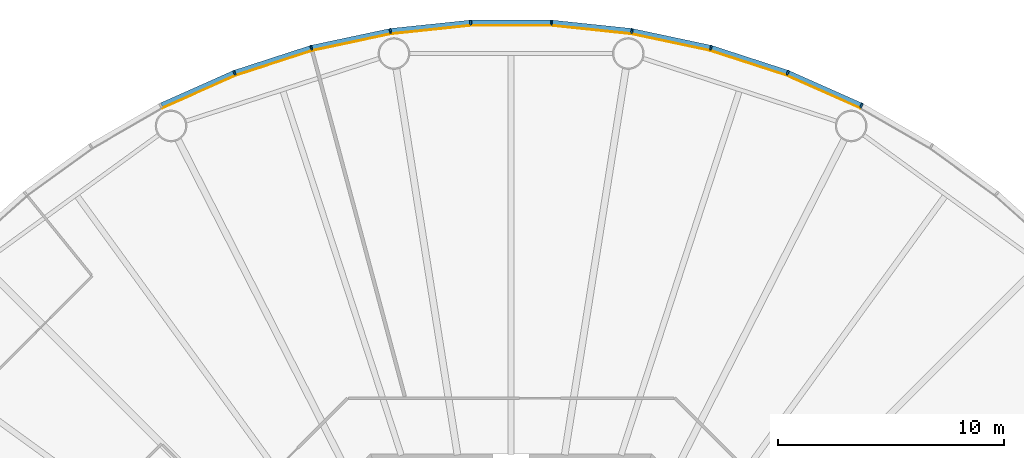
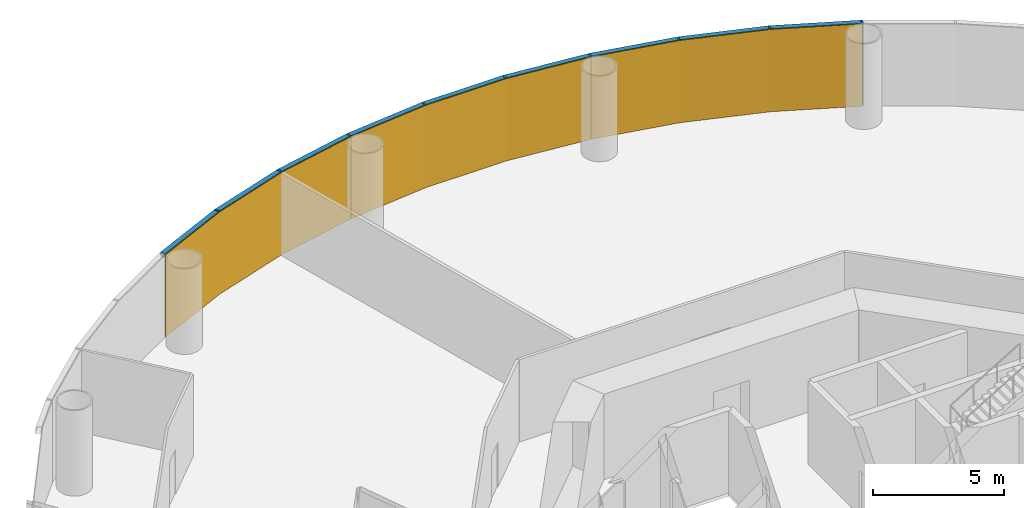
# One storey, part 11 of 12: 18 members, 3 curtain walls.
"""IFC4 building model written with IfcOpenShell, lengths in metres."""

from ifc_helpers import new_model, si_unit, direction, frame, origin, origin_2d, place, context, subcontext, project, spatial, polyline, rectangle, outline, extrude, material, layer, layer_set, material_profile, profile_set, type_object, element, aggregate, save


model = new_model("IFC4")

# Units and contexts
model_context = context("Model", 3, precision=1e-05, world=origin(), true_north=direction((0.0, 1.0)))
body_context = subcontext(model_context, "Body", "Model", "MODEL_VIEW")
ifc_project = project(units=[si_unit("LENGTHUNIT", "METRE"), si_unit("AREAUNIT", "SQUARE_METRE"), si_unit("VOLUMEUNIT", "CUBIC_METRE"), si_unit("PLANEANGLEUNIT", "RADIAN"), si_unit("MASSUNIT", "GRAM", prefix="KILO")], contexts=[model_context])

# Member
ifc_material_1 = material(Name="Anodised aluminium", Category="aluminium")
ifc_material_profile_1 = material_profile(ifc_material_1, rectangle(XDim=0.074951171875, YDim=0.219970703125, at=origin_2d()), Name="Mullion 75 x 220 mm anodised aluminium")
ifc_profile_set_1 = profile_set([ifc_material_profile_1], Name="Anodised aluminium")
member_type_1 = type_object("IfcMemberType", Name="Mullion 75 x 220 mm anodised aluminium", PredefinedType="MULLION", material=ifc_profile_set_1)
site_placement = place(None, origin())
building_placement = place(site_placement, origin())
storey_placement = place(building_placement, frame((0.0, 0.0, 66.0)))
member_1_placement = place(storey_placement, frame((105.485595703125, 110.392333984375, 0.0), z_axis=(0.0, 0.0, 1.0), x_axis=(-0.891006524188, 0.45399049974, 0.0)))
member_1 = element("IfcMember", 1, at=member_1_placement, type_object=member_type_1, Name="MULLION L14-09", PredefinedType="MULLION", context=body_context, shape_type="SweptSolid", body=[
    extrude(rectangle(XDim=0.074951171875, YDim=0.219970703125, at=origin_2d()), origin(), (0.0, 0.0, 1.0), 3.85009765625),
])

member_2_placement = place(storey_placement, frame((102.223876953125, 111.844482421875, 0.0), z_axis=(0.0, 0.0, 1.0), x_axis=(-0.933580426497, 0.358367949545, 0.0)))
member_2 = element("IfcMember", 2, at=member_2_placement, type_object=member_type_1, Name="MULLION L14-10", PredefinedType="MULLION", context=body_context, shape_type="SweptSolid", body=[
    extrude(rectangle(XDim=0.074951171875, YDim=0.219970703125, at=origin_2d()), origin(), (0.0, 0.0, 1.0), 3.85009765625),
])

member_3_placement = place(storey_placement, frame((98.828369140625, 112.94775390625, 0.0), z_axis=(0.0, 0.0, 1.0), x_axis=(-0.965925826289, 0.258819045103, 0.0)))
member_3 = element("IfcMember", 3, at=member_3_placement, type_object=member_type_1, Name="MULLION L14-11", PredefinedType="MULLION", context=body_context, shape_type="SweptSolid", body=[
    extrude(rectangle(XDim=0.074951171875, YDim=0.219970703125, at=origin_2d()), origin(), (0.0, 0.0, 1.0), 3.85009765625),
])

member_4_placement = place(storey_placement, frame((95.3359375, 113.68994140625, 0.0), z_axis=(0.0, 0.0, 1.0), x_axis=(-0.987688340595, 0.15643446504, 0.0)))
member_4 = element("IfcMember", 4, at=member_4_placement, type_object=member_type_1, Name="MULLION L14-12", PredefinedType="MULLION", context=body_context, shape_type="SweptSolid", body=[
    extrude(rectangle(XDim=0.074951171875, YDim=0.219970703125, at=origin_2d()), origin(), (0.0, 0.0, 1.0), 3.85009765625),
])

member_5_placement = place(storey_placement, frame((91.78515625, 114.063232421875, 0.0), z_axis=(0.0, 0.0, 1.0), x_axis=(-0.998629534755, 0.052335956243, 0.0)))
member_5 = element("IfcMember", 5, at=member_5_placement, type_object=member_type_1, Name="MULLION L14-13", PredefinedType="MULLION", context=body_context, shape_type="SweptSolid", body=[
    extrude(rectangle(XDim=0.074951171875, YDim=0.219970703125, at=origin_2d()), origin(), (0.0, 0.0, 1.0), 3.85009765625),
])

member_6_placement = place(storey_placement, frame((88.21484375, 114.063232421875, 0.0), z_axis=(0.0, 0.0, 1.0), x_axis=(-0.998629534755, -0.052335956243, 0.0)))
member_6 = element("IfcMember", 6, at=member_6_placement, type_object=member_type_1, Name="MULLION L14-14", PredefinedType="MULLION", context=body_context, shape_type="SweptSolid", body=[
    extrude(rectangle(XDim=0.074951171875, YDim=0.219970703125, at=origin_2d()), origin(), (0.0, 0.0, 1.0), 3.85009765625),
])

member_7_placement = place(storey_placement, frame((84.6640625, 113.68994140625, 0.0), z_axis=(0.0, 0.0, 1.0), x_axis=(-0.987688340595, -0.15643446504, 0.0)))
member_7 = element("IfcMember", 7, at=member_7_placement, type_object=member_type_1, Name="MULLION L14-15", PredefinedType="MULLION", context=body_context, shape_type="SweptSolid", body=[
    extrude(rectangle(XDim=0.074951171875, YDim=0.219970703125, at=origin_2d()), origin(), (0.0, 0.0, 1.0), 3.85009765625),
])

member_8_placement = place(storey_placement, frame((81.171630859375, 112.94775390625, 0.0), z_axis=(0.0, 0.0, 1.0), x_axis=(-0.965925826289, -0.258819045103, 0.0)))
member_8 = element("IfcMember", 8, at=member_8_placement, type_object=member_type_1, Name="MULLION L14-16", PredefinedType="MULLION", context=body_context, shape_type="SweptSolid", body=[
    extrude(rectangle(XDim=0.074951171875, YDim=0.219970703125, at=origin_2d()), origin(), (0.0, 0.0, 1.0), 3.85009765625),
])

member_9_placement = place(storey_placement, frame((77.776123046875, 111.844482421875, 0.0), z_axis=(0.0, 0.0, 1.0), x_axis=(-0.933580426497, -0.358367949545, 0.0)))
member_9 = element("IfcMember", 9, at=member_9_placement, type_object=member_type_1, Name="MULLION L14-17", PredefinedType="MULLION", context=body_context, shape_type="SweptSolid", body=[
    extrude(rectangle(XDim=0.074951171875, YDim=0.219970703125, at=origin_2d()), origin(), (0.0, 0.0, 1.0), 3.85009765625),
])

ifc_material_2 = material(Name="Anodised aluminium", Category="aluminium")
ifc_material_profile_2 = material_profile(ifc_material_2, rectangle(XDim=0.219970703125, YDim=0.199951171875, at=origin_2d()), Name="Transom 200 x 220 mm anodised aluminium")
ifc_profile_set_2 = profile_set([ifc_material_profile_2], Name="Anodised aluminium")
member_type_2 = type_object("IfcMemberType", Name="Transom 200 x 220 mm anodised aluminium", PredefinedType="USERDEFINED", material=ifc_profile_set_2)
member_10_placement = place(storey_placement, frame((105.446044921875, 110.409912109375, 3.75), z_axis=(-0.913545487371, 0.406736576304, 0.0), x_axis=(-0.406736576304, -0.913545487371, 0.0)))
member_10 = element("IfcMember", 10, at=member_10_placement, type_object=member_type_2, Name="TRANSOM L14-09", ObjectType="TRANSOM", PredefinedType="USERDEFINED", context=body_context, shape_type="SweptSolid", body=[
    extrude(rectangle(XDim=0.219970703125, YDim=0.199951171875, at=origin_2d()), origin(), (0.0, 0.0, 1.0), 3.48388671875),
])

member_11_placement = place(storey_placement, frame((102.182861328125, 111.85791015625, 3.75), z_axis=(-0.951052605696, 0.309029029702, 0.0), x_axis=(-0.309029029702, -0.951052605696, 0.0)))
member_11 = element("IfcMember", 11, at=member_11_placement, type_object=member_type_2, Name="TRANSOM L14-10", ObjectType="TRANSOM", PredefinedType="USERDEFINED", context=body_context, shape_type="SweptSolid", body=[
    extrude(rectangle(XDim=0.219970703125, YDim=0.199951171875, at=origin_2d()), origin(), (0.0, 0.0, 1.0), 3.484130859375),
])

member_12_placement = place(storey_placement, frame((98.7861328125, 112.956787109375, 3.75), z_axis=(-0.978145669426, 0.207920776701, 0.0), x_axis=(-0.207920776701, -0.978145669426, 0.0)))
member_12 = element("IfcMember", 12, at=member_12_placement, type_object=member_type_2, Name="TRANSOM L14-11", ObjectType="TRANSOM", PredefinedType="USERDEFINED", context=body_context, shape_type="SweptSolid", body=[
    extrude(rectangle(XDim=0.219970703125, YDim=0.199951171875, at=origin_2d()), origin(), (0.0, 0.0, 1.0), 3.48388671875),
])

member_13_placement = place(storey_placement, frame((95.29296875, 113.69482421875, 3.75), z_axis=(-0.994526551648, 0.104484152234, 0.0), x_axis=(-0.104484152234, -0.994526551648, 0.0)))
member_13 = element("IfcMember", 13, at=member_13_placement, type_object=member_type_2, Name="TRANSOM L14-12", ObjectType="TRANSOM", PredefinedType="USERDEFINED", context=body_context, shape_type="SweptSolid", body=[
    extrude(rectangle(XDim=0.219970703125, YDim=0.199951171875, at=origin_2d()), origin(), (0.0, 0.0, 1.0), 3.48388671875),
])

member_14_placement = place(storey_placement, frame((91.741943359375, 114.0634765625, 3.75), z_axis=(-1.0, 0.0, 0.0), x_axis=(0.0, -1.0, 0.0)))
member_14 = element("IfcMember", 14, at=member_14_placement, type_object=member_type_2, Name="TRANSOM L14-13", ObjectType="TRANSOM", PredefinedType="USERDEFINED", context=body_context, shape_type="SweptSolid", body=[
    extrude(rectangle(XDim=0.219970703125, YDim=0.199951171875, at=origin_2d()), origin(), (0.0, 0.0, 1.0), 3.48388671875),
])

member_15_placement = place(storey_placement, frame((88.171875, 114.058837890625, 3.75), z_axis=(-0.994526551648, -0.104484152234, 0.0), x_axis=(0.104484152234, -0.994526551648, 0.0)))
member_15 = element("IfcMember", 15, at=member_15_placement, type_object=member_type_2, Name="TRANSOM L14-14", ObjectType="TRANSOM", PredefinedType="USERDEFINED", context=body_context, shape_type="SweptSolid", body=[
    extrude(rectangle(XDim=0.219970703125, YDim=0.199951171875, at=origin_2d()), origin(), (0.0, 0.0, 1.0), 3.48388671875),
])

member_16_placement = place(storey_placement, frame((84.62158203125, 113.68115234375, 3.75), z_axis=(-0.978145669426, -0.207920776701, 0.0), x_axis=(0.207920776701, -0.978145669426, 0.0)))
member_16 = element("IfcMember", 16, at=member_16_placement, type_object=member_type_2, Name="TRANSOM L14-15", ObjectType="TRANSOM", PredefinedType="USERDEFINED", context=body_context, shape_type="SweptSolid", body=[
    extrude(rectangle(XDim=0.219970703125, YDim=0.199951171875, at=origin_2d()), origin(), (0.0, 0.0, 1.0), 3.48388671875),
])

member_17_placement = place(storey_placement, frame((81.130615234375, 112.9345703125, 3.75), z_axis=(-0.951052605696, -0.309029029702, 0.0), x_axis=(0.309029029702, -0.951052605696, 0.0)))
member_17 = element("IfcMember", 17, at=member_17_placement, type_object=member_type_2, Name="TRANSOM L14-16", ObjectType="TRANSOM", PredefinedType="USERDEFINED", context=body_context, shape_type="SweptSolid", body=[
    extrude(rectangle(XDim=0.219970703125, YDim=0.199951171875, at=origin_2d()), origin(), (0.0, 0.0, 1.0), 3.484130859375),
])

member_18_placement = place(storey_placement, frame((77.736572265625, 111.826904296875, 3.75), z_axis=(-0.913545487371, -0.406736576304, 0.0), x_axis=(0.406736576304, -0.913545487371, 0.0)))
member_18 = element("IfcMember", 18, at=member_18_placement, type_object=member_type_2, Name="TRANSOM L14-17", ObjectType="TRANSOM", PredefinedType="USERDEFINED", context=body_context, shape_type="SweptSolid", body=[
    extrude(rectangle(XDim=0.219970703125, YDim=0.199951171875, at=origin_2d()), origin(), (0.0, 0.0, 1.0), 3.48388671875),
])

# Site, building, storey
site = spatial("IfcSite", under=ifc_project, at=site_placement, CompositionType="ELEMENT")
building = spatial("IfcBuilding", under=site, at=building_placement, Name="Entoto Ring Tower", CompositionType="ELEMENT")
storey = spatial("IfcBuildingStorey", under=building, at=storey_placement, Name="L14", CompositionType="ELEMENT", Elevation=66.0)

# Curtain wall
ifc_material_3 = material(Name="Clear low-iron glass", Category="glass")
ifc_layer = layer(ifc_material_3, 0.0400390625)
ifc_layer_set = layer_set([ifc_layer], Name="Clear low-iron glass")
curtain_wall_type = type_object("IfcCurtainWallType", Name="Curtain wall system CW1 glazing 40 mm", PredefinedType="NOTDEFINED", material=ifc_layer_set)
curtain_wall_1_placement = place(storey_placement, origin())
curtain_wall_1 = element("IfcCurtainWall", 19, at=curtain_wall_1_placement, inside=storey, type_object=curtain_wall_type, Name="CW1 L14-04", PredefinedType="NOTDEFINED", context=body_context, shape_type="SweptSolid", body=[
    extrude(outline(polyline([(105.435791015625, 110.294189453125), (102.1845703125, 111.74169921875), (98.7998046875, 112.841552734375), (95.31884765625, 113.581298828125), (95.3125, 113.541748046875), (98.78955078125, 112.802734375), (102.170166015625, 111.704345703125), (105.41748046875, 110.258544921875), (105.435791015625, 110.294189453125)])), origin(), (0.0, 0.0, 1.0), 3.85009765625),
])

aggregate(curtain_wall_1, [member_1, member_2, member_3, member_10, member_11, member_12])

curtain_wall_2_placement = place(storey_placement, origin())
curtain_wall_2 = element("IfcCurtainWall", 20, at=curtain_wall_2_placement, inside=storey, type_object=curtain_wall_type, Name="CW1 L14-05", PredefinedType="NOTDEFINED", context=body_context, shape_type="SweptSolid", body=[
    extrude(outline(polyline([(95.31884765625, 113.581298828125), (91.779541015625, 113.953369140625), (88.220458984375, 113.953369140625), (84.68115234375, 113.581298828125), (84.6875, 113.541748046875), (88.22265625, 113.913330078125), (91.77734375, 113.913330078125), (95.3125, 113.541748046875), (95.31884765625, 113.581298828125)])), origin(), (0.0, 0.0, 1.0), 3.85009765625),
])

aggregate(curtain_wall_2, [member_4, member_5, member_6, member_13, member_14, member_15])

curtain_wall_3_placement = place(storey_placement, origin())
curtain_wall_3 = element("IfcCurtainWall", 21, at=curtain_wall_3_placement, inside=storey, type_object=curtain_wall_type, Name="CW1 L14-06", PredefinedType="NOTDEFINED", context=body_context, shape_type="SweptSolid", body=[
    extrude(outline(polyline([(84.68115234375, 113.581298828125), (81.2001953125, 112.841552734375), (77.8154296875, 111.74169921875), (74.564208984375, 110.294189453125), (74.58251953125, 110.258544921875), (77.829833984375, 111.704345703125), (81.21044921875, 112.802734375), (84.6875, 113.541748046875), (84.68115234375, 113.581298828125)])), origin(), (0.0, 0.0, 1.0), 3.85009765625),
])

aggregate(curtain_wall_3, [member_7, member_8, member_9, member_16, member_17, member_18])

save(model, "model.ifc")
